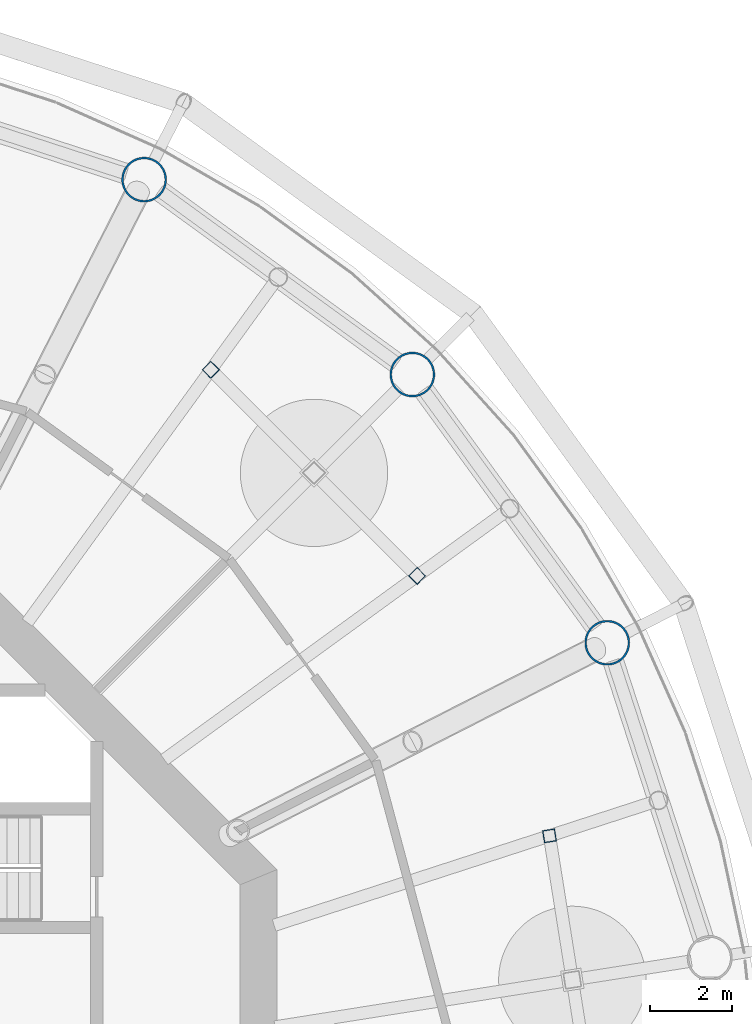
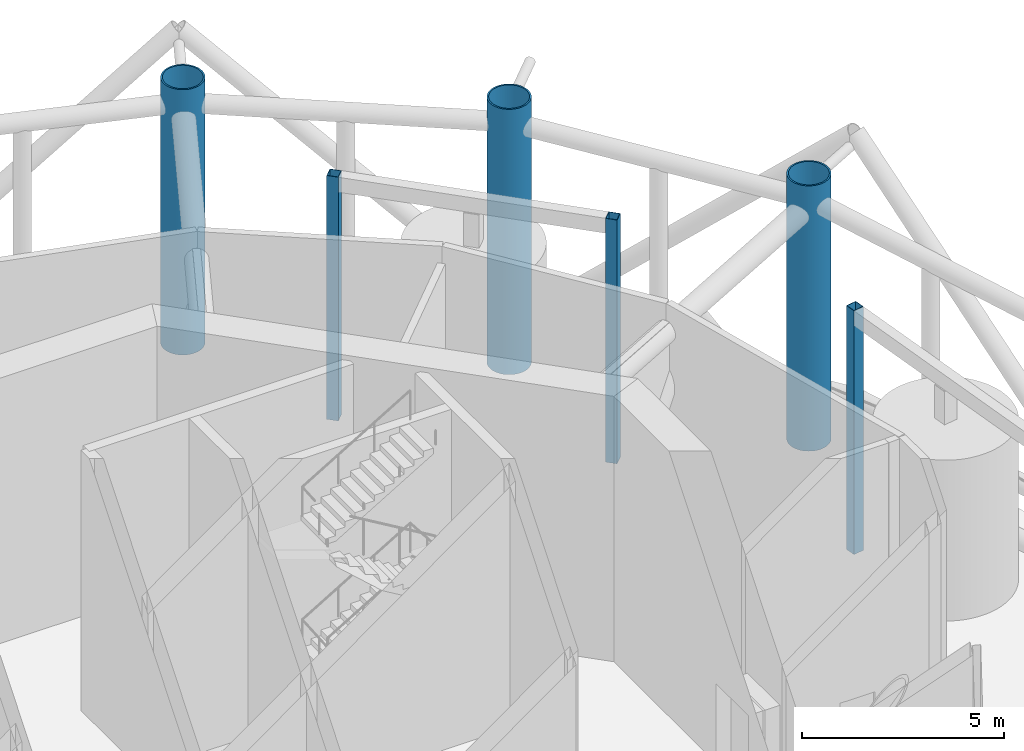
# One storey, part 5 of 22: 6 columns.
"""IFC4 building model written with IfcOpenShell, lengths in metres."""

import ifcopenshell
import ifcopenshell.guid

model = None  # the IFC model being written
_history = None  # IfcOwnerHistory: only IFC2X3 demands one
_inside = {}  # id of a spatial element -> (the spatial element, [elements in it])
_under = {}  # id of a project, library or spatial element -> (it, [spatial elements below it])
_declared = {}  # id of a project -> (the project, [libraries it declares])
_typed = {}  # id of a type object -> (the type object, [elements of that type])
_made_of = {}  # id of a material, layer set ... -> (it, [elements and type objects made of it])


def new_model(schema):
    """Start an empty IFC model of exactly this schema.

    Asked for "IFC4X3", IfcOpenShell would pick the latest addendum, in which some entities
    have other attributes; the version numbers below select the first issue.
    IFC2X3 requires an IfcOwnerHistory on every rooted entity: one is made here for all.
    """
    global model, _history
    if schema == "IFC4X3":
        model = ifcopenshell.file(schema_version=(4, 3, 0, 0))
    else:
        model = ifcopenshell.file(schema=schema)
    _inside.clear()
    _under.clear()
    _declared.clear()
    _typed.clear()
    _made_of.clear()
    _history = None
    if model.schema == "IFC2X3":
        org = make("IfcOrganization", Name="unknown")
        user = make(
            "IfcPersonAndOrganization",
            ThePerson=make("IfcPerson", FamilyName="unknown"),
            TheOrganization=org,
        )
        app = make(
            "IfcApplication",
            ApplicationDeveloper=org,
            Version="unknown",
            ApplicationFullName="unknown",
            ApplicationIdentifier="unknown",
        )
        _history = make(
            "IfcOwnerHistory",
            OwningUser=user,
            OwningApplication=app,
            ChangeAction="ADDED",
            CreationDate=0,
        )
    return model


def make(cls, **values):
    """One entity of the class cls with the attributes given. An attribute that is None is left unset."""
    return model.create_entity(
        cls, **{name: value for name, value in values.items() if value is not None}
    )


def rooted(cls, **values):
    """An entity with a GlobalId (a new one), such as an element, a storey or a relation."""
    return make(cls, GlobalId=ifcopenshell.guid.new(), OwnerHistory=_history, **values)


def si_unit(unit_type, name, prefix=None):
    """IfcSIUnit, for example si_unit("LENGTHUNIT", "METRE", prefix="MILLI")."""
    return make("IfcSIUnit", UnitType=unit_type, Prefix=prefix, Name=name)


def assignment(units):
    """IfcUnitAssignment: the units of a project."""
    return None if units is None else make("IfcUnitAssignment", Units=units)


def point(xyz):
    """IfcCartesianPoint."""
    return None if xyz is None else make("IfcCartesianPoint", Coordinates=xyz)


def direction(xyz):
    """IfcDirection."""
    return None if xyz is None else make("IfcDirection", DirectionRatios=xyz)


def frame(location, z_axis=None, x_axis=None):
    """IfcAxis2Placement3D, a coordinate frame: its origin and axes. An axis left out is left unset."""
    return make(
        "IfcAxis2Placement3D",
        Location=point(location),
        Axis=direction(z_axis),
        RefDirection=direction(x_axis),
    )


def frame_2d(location, x_axis=None):
    """IfcAxis2Placement2D, a coordinate frame in the plane: its origin and x axis."""
    return make(
        "IfcAxis2Placement2D", Location=point(location), RefDirection=direction(x_axis)
    )


def origin():
    """The frame at (0, 0, 0) with its axes left unset."""
    return frame((0.0, 0.0, 0.0))


def origin_2d():
    """The frame at (0, 0) in the plane with its x axis left unset."""
    return frame_2d((0.0, 0.0))


def place(relative_to, where):
    """IfcLocalPlacement: puts the frame where relative to a parent placement (None: the world)."""
    return make(
        "IfcLocalPlacement", PlacementRelTo=relative_to, RelativePlacement=where
    )


def context(
    kind, dimensions, precision=None, world=None, true_north=None, identifier=None
):
    """IfcGeometricRepresentationContext, for example the 3D "Model" context."""
    return make(
        "IfcGeometricRepresentationContext",
        ContextIdentifier=identifier,
        ContextType=kind,
        CoordinateSpaceDimension=dimensions,
        Precision=precision,
        WorldCoordinateSystem=world,
        TrueNorth=true_north,
    )


def subcontext(parent, identifier, kind, view, scale=None):
    """IfcGeometricRepresentationSubContext, for example "Body" below "Model"."""
    return make(
        "IfcGeometricRepresentationSubContext",
        ContextIdentifier=identifier,
        ContextType=kind,
        ParentContext=parent,
        TargetScale=scale,
        TargetView=view,
    )


def project(units=None, contexts=None):
    """IfcProject with its units and contexts."""
    return rooted(
        "IfcProject",
        Name="project",
        RepresentationContexts=contexts,
        UnitsInContext=assignment(units),
    )


def spatial(cls, under=None, at=None, **own):
    """A site, building, storey or space (cls), placed at a placement, below another one or the project."""
    s = rooted(cls, ObjectPlacement=at, **own)
    if under is not None:
        _under.setdefault(under.id(), (under, []))[1].append(s)
    return s


def profile(cls, at=None, kind="AREA", **sizes):
    """A parametric profile (cls). Its sizes go by their IFC names, for example OverallWidth=200.0."""
    return make(cls, ProfileType=kind, Position=at, **sizes)


def hollow_rectangle(**sizes):
    """IfcRectangleHollowProfileDef."""
    return profile("IfcRectangleHollowProfileDef", **sizes)


def circle(**sizes):
    """IfcCircleProfileDef."""
    return profile("IfcCircleProfileDef", **sizes)


def hollow_circle(**sizes):
    """IfcCircleHollowProfileDef."""
    return profile("IfcCircleHollowProfileDef", **sizes)


def extrude(swept, where, along, depth):
    """IfcExtrudedAreaSolid: the profile swept, set in the frame where, extruded along a direction by depth."""
    return make(
        "IfcExtrudedAreaSolid",
        SweptArea=swept,
        Position=where,
        ExtrudedDirection=direction(along),
        Depth=depth,
    )


def shape(context_of_items, identifier, shape_type, items):
    """IfcShapeRepresentation: the items that make up one representation, for example the "Body"."""
    return make(
        "IfcShapeRepresentation",
        ContextOfItems=context_of_items,
        RepresentationIdentifier=identifier,
        RepresentationType=shape_type,
        Items=items,
    )


def material(Name=None, Category=None):
    """IfcMaterial."""
    return make("IfcMaterial", Name=Name, Category=Category)


def material_profile(
    of_material, cross_section, Name=None, Category=None, Priority=None
):
    """IfcMaterialProfile: a cross section and its material."""
    return make(
        "IfcMaterialProfile",
        Name=Name,
        Material=of_material,
        Profile=cross_section,
        Priority=Priority,
        Category=Category,
    )


def profile_set(profiles, Name=None, composite=None):
    """IfcMaterialProfileSet."""
    return make(
        "IfcMaterialProfileSet",
        Name=Name,
        MaterialProfiles=profiles,
        CompositeProfile=composite,
    )


def made_of(thing, what):
    """Note that an element or type object is made of a material, layer set ...; save() writes the relation."""
    if what is not None:
        _made_of.setdefault(what.id(), (what, []))[1].append(thing)
    return thing


def type_object(cls, material=None, **own):
    """A type object (cls), such as IfcWallType, which elements share."""
    return made_of(rooted(cls, **own), material)


def element(
    cls,
    number,
    at=None,
    inside=None,
    cuts=None,
    type_object=None,
    material=None,
    context=None,
    identifier="Body",
    shape_type=None,
    held_by="IfcProductDefinitionShape",
    body=None,
    shapes=None,
    **own,
):
    """One element of the class cls, such as IfcWall. Its Tag is "e" and its number.

    at: its placement. inside: the storey or other place that contains it. cuts: it is an
    opening in that element (IfcRelVoidsElement). A single representation is given by context,
    identifier, shape_type and body (its items); several are given by shapes. held_by: the class
    of the entity that holds the representations. save() writes the other relations.
    """
    e = rooted(cls, Tag="e%d" % number, ObjectPlacement=at, **own)
    if body is not None:
        shapes = [shape(context, identifier, shape_type, body)]
    if shapes is not None:
        e.Representation = make(held_by, Representations=shapes)
    if inside is not None:
        _inside.setdefault(inside.id(), (inside, []))[1].append(e)
    if cuts is not None:
        rooted(
            "IfcRelVoidsElement", RelatingBuildingElement=cuts, RelatedOpeningElement=e
        )
    if type_object is not None:
        _typed.setdefault(type_object.id(), (type_object, []))[1].append(e)
    return made_of(e, material)


def aggregate(whole, parts):
    """IfcRelAggregates: a whole, such as a stair, and the parts it consists of."""
    return rooted("IfcRelAggregates", RelatingObject=whole, RelatedObjects=parts)


def save(model, path):
    """Write the relations noted so far, then the file.

    IfcRelAggregates (storeys below a building ...), IfcRelContainedInSpatialStructure (elements
    in a storey), IfcRelDefinesByType, IfcRelAssociatesMaterial and IfcRelDeclares: one each for
    every whole, place, type object, material and project.
    """
    for whole, parts in _under.values():
        aggregate(whole, parts)
    for where, things in _inside.values():
        rooted(
            "IfcRelContainedInSpatialStructure",
            RelatedElements=things,
            RelatingStructure=where,
        )
    for kind, things in _typed.values():
        rooted("IfcRelDefinesByType", RelatedObjects=things, RelatingType=kind)
    for what, things in _made_of.values():
        rooted("IfcRelAssociatesMaterial", RelatedObjects=things, RelatingMaterial=what)
    for by, libraries in _declared.values():
        rooted("IfcRelDeclares", RelatingContext=by, RelatedDefinitions=libraries)
    model.write(path)


model = new_model("IFC4")

# Units and contexts
model_context = context("Model", 3, precision=1e-05, world=origin(), true_north=direction((0.0, 1.0)))
body_context = subcontext(model_context, "Body", "Model", "MODEL_VIEW")
ifc_project = project(units=[si_unit("LENGTHUNIT", "METRE"), si_unit("AREAUNIT", "SQUARE_METRE"), si_unit("VOLUMEUNIT", "CUBIC_METRE"), si_unit("PLANEANGLEUNIT", "RADIAN"), si_unit("MASSUNIT", "GRAM", prefix="KILO")], contexts=[model_context])

# Site, building, storey
site_placement = place(None, origin())
site = spatial("IfcSite", under=ifc_project, at=site_placement, CompositionType="ELEMENT")
building_placement = place(site_placement, origin())
building = spatial("IfcBuilding", under=site, at=building_placement, Name="Entoto Ring Tower", CompositionType="ELEMENT")
storey_placement = place(building_placement, frame((0.0, 0.0, 230.0)))
storey = spatial("IfcBuildingStorey", under=building, at=storey_placement, Name="L53", CompositionType="ELEMENT", Elevation=230.0)

# Columns
ifc_material_1 = material(Name="Steel S355", Category="steel")
ifc_material_profile_1 = material_profile(ifc_material_1, hollow_circle(Radius=0.550048828125, WallThickness=0.044921875, at=origin_2d()), Name="CHS 1100 x 45")
ifc_material_2 = material(Name="Concrete C60/75", Category="concrete")
ifc_material_profile_2 = material_profile(ifc_material_2, circle(Radius=0.5048828125, at=origin_2d()), Name="Concrete C60/75 infill")
ifc_profile_set_1 = profile_set([ifc_material_profile_1, ifc_material_profile_2], Name="Steel S355")
column_type_1 = type_object("IfcColumnType", Name="Ring column 1100 x 45 concrete-filled tube", PredefinedType="COLUMN", material=ifc_profile_set_1)
for number, where, z_axis, x_axis, name in (
    (1, (113.0771484375, 91.75830078125, 0.0), (0.0, 0.0, 1.0), (1.0, 0.0, 0.0), "RC4B R02"),
    (2, (108.31396484375, 98.31396484375, 0.0), (0.0, 0.0, 1.0), (1.0, 0.0, 0.0), "RC4B R03"),
    (3, (101.75830078125, 103.0771484375, 0.0), (0.0, 0.0, 1.0), (1.0, 0.0, 0.0), "RC4B R04"),
):
    element("IfcColumn", number, at=place(storey_placement, frame(where, z_axis=z_axis, x_axis=x_axis)), inside=storey, type_object=column_type_1, Name=name, PredefinedType="COLUMN", context=body_context, shape_type="SweptSolid", body=[
        extrude(hollow_circle(Radius=0.550048828125, WallThickness=0.044921875, at=origin_2d()), origin(), (0.0, 0.0, 1.0), 8.0),
    ])
ifc_material_3 = material(Name="Steel S355", Category="steel")
ifc_material_profile_3 = material_profile(ifc_material_3, hollow_rectangle(XDim=0.300048828125, YDim=0.300048828125, WallThickness=0.011962890625, at=origin_2d()), Name="Turbine frame post 300 x 300 x 12 mm")
ifc_profile_set_2 = profile_set([ifc_material_profile_3], Name="Steel S355")
column_type_2 = type_object("IfcColumnType", Name="Turbine frame post 300 x 300 x 12 mm", PredefinedType="COLUMN", material=ifc_profile_set_2)
for number, where, z_axis, x_axis, name in (
    (4, (111.66552734375, 87.03955078125, 0.0), (0.0, 0.0, 1.0), (-0.15643446504, 0.987688340595, 0.0), "TURBINE FRAME POST 1b"),
    (5, (108.4296875, 93.39013671875, 0.0), (0.0, 0.0, 1.0), (-0.707106781187, 0.707106781187, 0.0), "TURBINE FRAME POST 2a"),
    (6, (103.39013671875, 98.4296875, 0.0), (0.0, 0.0, 1.0), (-0.707106781187, 0.707106781187, 0.0), "TURBINE FRAME POST 2b"),
):
    element("IfcColumn", number, at=place(storey_placement, frame(where, z_axis=z_axis, x_axis=x_axis)), inside=storey, type_object=column_type_2, Name=name, PredefinedType="COLUMN", context=body_context, shape_type="SweptSolid", body=[
        extrude(hollow_rectangle(XDim=0.300048828125, YDim=0.300048828125, WallThickness=0.011962890625, at=origin_2d()), origin(), (0.0, 0.0, 1.0), 7.35009765625),
    ])

save(model, "model.ifc")
